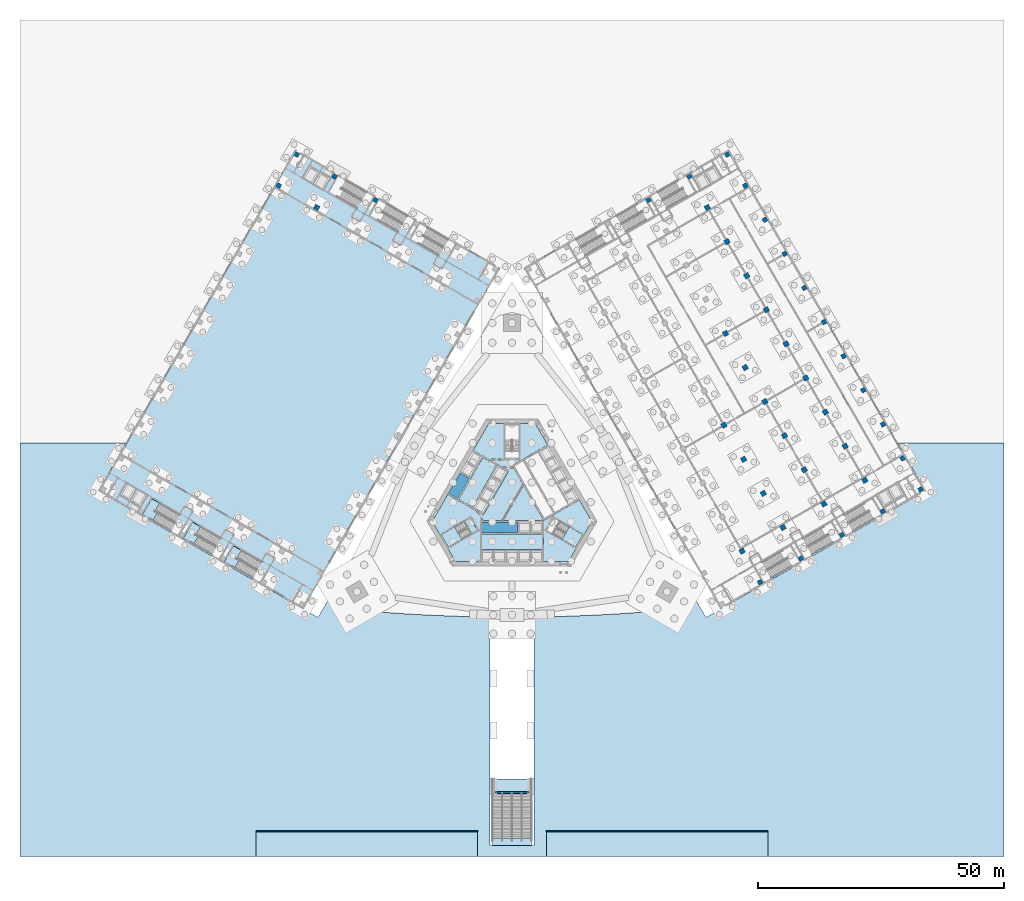
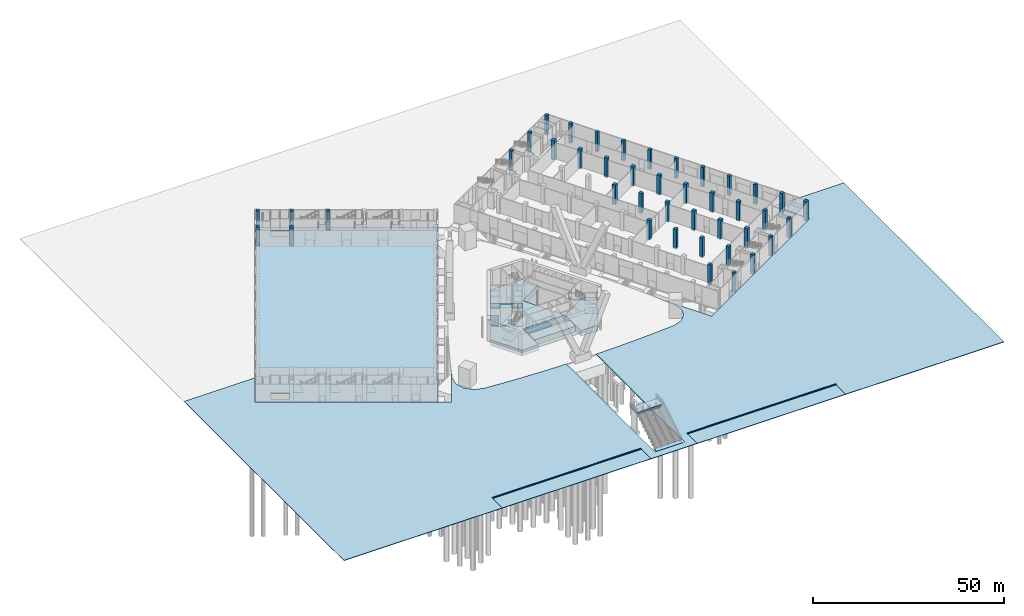
# One storey, part 8 of 38: 42 columns, 21 slabs, 1 beam, 5 elements without a shape of their own.
"""IFC4 building model written with IfcOpenShell, lengths in metres."""

from ifc_helpers import new_model, si_unit, direction, frame, origin, origin_2d, place, context, subcontext, project, spatial, polyline, rectangle, i_section, outline, extrude, material, layer, layer_set, material_profile, profile_set, type_object, element, aggregate, save


model = new_model("IFC4")

# Units and contexts
model_context = context("Model", 3, precision=1e-05, world=origin(), true_north=direction((0.0, 1.0)))
body_context = subcontext(model_context, "Body", "Model", "MODEL_VIEW")
ifc_project = project(units=[si_unit("LENGTHUNIT", "METRE"), si_unit("AREAUNIT", "SQUARE_METRE"), si_unit("VOLUMEUNIT", "CUBIC_METRE"), si_unit("PLANEANGLEUNIT", "RADIAN"), si_unit("MASSUNIT", "GRAM", prefix="KILO")], contexts=[model_context])

# Site, building, storey
site_placement = place(None, origin())
site = spatial("IfcSite", under=ifc_project, at=site_placement, CompositionType="ELEMENT")
building_placement = place(site_placement, origin())
building = spatial("IfcBuilding", under=site, at=building_placement, Name="Mestral Congress Tower", CompositionType="ELEMENT")
storey_placement = place(building_placement, origin())
storey = spatial("IfcBuildingStorey", under=building, at=storey_placement, Name="L00", CompositionType="ELEMENT", Elevation=0.0)

# Columns
ifc_material_1 = material(Name="Concrete C60/75", Category="concrete")
ifc_material_profile_1 = material_profile(ifc_material_1, rectangle(XDim=1.0, YDim=1.0, at=origin_2d()), Name="RC 1000x1000")
ifc_profile_set_1 = profile_set([ifc_material_profile_1], Name="Concrete C60/75")
column_type_1 = type_object("IfcColumnType", Name="Podium column RC 1000x1000 C60/75", PredefinedType="COLUMN", material=ifc_profile_set_1)
for number, where, z_axis, x_axis, name in (
    (1, (46.76806640625, -9.94873046875, -0.300048828125), (0.0, 0.0, 1.0), (-0.5, 0.866025403784, 0.0), "COL-L00-PC-E-02B"),
    (2, (55.08203125, -5.148681640625, -0.300048828125), (0.0, 0.0, 1.0), (-0.5, 0.866025403784, 0.0), "COL-L00-PC-E-02C"),
    (3, (63.395751953125, -0.348876953125, -0.300048828125), (0.0, 0.0, 1.0), (-0.5, 0.866025403784, 0.0), "COL-L00-PC-E-02D"),
    (4, (71.709716796875, 4.451171875, -0.300048828125), (0.0, 0.0, 1.0), (-0.5, 0.866025403784, 0.0), "COL-L00-PC-E-02E"),
    (5, (51.08203125, 1.779296875, -0.300048828125), (0.0, 0.0, 1.0), (-0.5, 0.866025403784, 0.0), "COL-L00-PC-E-03C"),
    (6, (59.395751953125, 6.579345703125, -0.300048828125), (0.0, 0.0, 1.0), (-0.5, 0.866025403784, 0.0), "COL-L00-PC-E-03D"),
    (7, (67.709716796875, 11.37939453125, -0.300048828125), (0.0, 0.0, 1.0), (-0.5, 0.866025403784, 0.0), "COL-L00-PC-E-03E"),
    (8, (47.08203125, 8.70751953125, -0.300048828125), (0.0, 0.0, 1.0), (-0.5, 0.866025403784, 0.0), "COL-L00-PC-E-04C"),
    (9, (55.395751953125, 13.507568359375, -0.300048828125), (0.0, 0.0, 1.0), (-0.5, 0.866025403784, 0.0), "COL-L00-PC-E-04D"),
    (10, (63.709716796875, 18.3076171875, -0.300048828125), (0.0, 0.0, 1.0), (-0.5, 0.866025403784, 0.0), "COL-L00-PC-E-04E"),
    (11, (43.08203125, 15.6357421875, -0.300048828125), (0.0, 0.0, 1.0), (-0.5, 0.866025403784, 0.0), "COL-L00-PC-E-05C"),
    (12, (51.395751953125, 20.435791015625, -0.300048828125), (0.0, 0.0, 1.0), (-0.5, 0.866025403784, 0.0), "COL-L00-PC-E-05D"),
    (13, (59.709716796875, 25.23583984375, -0.300048828125), (0.0, 0.0, 1.0), (-0.5, 0.866025403784, 0.0), "COL-L00-PC-E-05E"),
    (14, (47.395751953125, 27.364013671875, -0.300048828125), (0.0, 0.0, 1.0), (-0.5, 0.866025403784, 0.0), "COL-L00-PC-E-06D"),
    (15, (55.709716796875, 32.1640625, -0.300048828125), (0.0, 0.0, 1.0), (-0.5, 0.866025403784, 0.0), "COL-L00-PC-E-06E"),
    (16, (43.395751953125, 34.292236328125, -0.300048828125), (0.0, 0.0, 1.0), (-0.5, 0.866025403784, 0.0), "COL-L00-PC-E-07D"),
    (17, (51.709716796875, 39.09228515625, -0.300048828125), (0.0, 0.0, 1.0), (-0.5, 0.866025403784, 0.0), "COL-L00-PC-E-07E"),
    (18, (47.709716796875, 46.0205078125, -0.300048828125), (0.0, 0.0, 1.0), (-0.5, 0.866025403784, 0.0), "COL-L00-PC-E-08E"),
    (19, (43.709716796875, 52.948486328125, -0.300048828125), (0.0, 0.0, 1.0), (-0.5, 0.866025403784, 0.0), "COL-L00-PC-E-09E"),
    (20, (39.709716796875, 59.876708984375, -0.300048828125), (0.0, 0.0, 1.0), (-0.5, 0.866025403784, 0.0), "COL-L00-PC-E-10E"),
    (21, (-39.709716796875, 59.876708984375, -0.300048828125), (0.0, 0.0, 1.0), (-0.5, -0.866025403784, 0.0), "COL-L00-PC-W-02E"),
):
    element("IfcColumn", number, at=place(storey_placement, frame(where, z_axis=z_axis, x_axis=x_axis)), inside=storey, type_object=column_type_1, Name=name, PredefinedType="COLUMN", context=body_context, shape_type="SweptSolid", body=[
        extrude(rectangle(XDim=1.0, YDim=1.0, at=origin_2d()), origin(), (0.0, 0.0, 1.0), 6.300048828125),
    ])
ifc_material_2 = material(Name="Concrete C50/60", Category="concrete")
ifc_material_profile_2 = material_profile(ifc_material_2, rectangle(XDim=0.89990234375, YDim=0.89990234375, at=origin_2d()), Name="RC 900x900")
ifc_profile_set_2 = profile_set([ifc_material_profile_2], Name="Concrete C50/60")
column_type_2 = type_object("IfcColumnType", Name="Podium column RC 900x900 C50/60", PredefinedType="COLUMN", material=ifc_profile_set_2)
for number, where, z_axis, x_axis, name in (
    (22, (50.418212890625, -16.270751953125, -0.300048828125), (0.0, 0.0, 1.0), (-0.5, 0.866025403784, 0.0), "COL-L00-PC-E-01B"),
    (23, (58.73193359375, -11.470703125, -0.300048828125), (0.0, 0.0, 1.0), (-0.5, 0.866025403784, 0.0), "COL-L00-PC-E-01C"),
    (24, (67.0458984375, -6.6708984375, -0.300048828125), (0.0, 0.0, 1.0), (-0.5, 0.866025403784, 0.0), "COL-L00-PC-E-01D"),
    (25, (75.359619140625, -1.870849609375, -0.300048828125), (0.0, 0.0, 1.0), (-0.5, 0.866025403784, 0.0), "COL-L00-PC-E-01E"),
    (26, (83.0673828125, 2.5791015625, -0.300048828125), (0.0, 0.0, 1.0), (-0.5, 0.866025403784, 0.0), "COL-L00-PC-E-01F"),
    (27, (79.417236328125, 8.901123046875, -0.300048828125), (0.0, 0.0, 1.0), (-0.5, 0.866025403784, 0.0), "COL-L00-PC-E-02F"),
    (28, (75.417236328125, 15.829345703125, -0.300048828125), (0.0, 0.0, 1.0), (-0.5, 0.866025403784, 0.0), "COL-L00-PC-E-03F"),
    (29, (71.417236328125, 22.757568359375, -0.300048828125), (0.0, 0.0, 1.0), (-0.5, 0.866025403784, 0.0), "COL-L00-PC-E-04F"),
    (30, (67.417236328125, 29.685791015625, -0.300048828125), (0.0, 0.0, 1.0), (-0.5, 0.866025403784, 0.0), "COL-L00-PC-E-05F"),
    (31, (63.417236328125, 36.614013671875, -0.300048828125), (0.0, 0.0, 1.0), (-0.5, 0.866025403784, 0.0), "COL-L00-PC-E-06F"),
    (32, (59.417236328125, 43.542236328125, -0.300048828125), (0.0, 0.0, 1.0), (-0.5, 0.866025403784, 0.0), "COL-L00-PC-E-07F"),
    (33, (55.417236328125, 50.470458984375, -0.300048828125), (0.0, 0.0, 1.0), (-0.5, 0.866025403784, 0.0), "COL-L00-PC-E-08F"),
    (34, (51.417236328125, 57.398681640625, -0.300048828125), (0.0, 0.0, 1.0), (-0.5, 0.866025403784, 0.0), "COL-L00-PC-E-09F"),
    (35, (47.417236328125, 64.326904296875, -0.300048828125), (0.0, 0.0, 1.0), (-0.5, 0.866025403784, 0.0), "COL-L00-PC-E-10F"),
    (36, (27.745849609375, 61.398681640625, -0.300048828125), (0.0, 0.0, 1.0), (-0.5, 0.866025403784, 0.0), "COL-L00-PC-E-11D"),
    (37, (36.059814453125, 66.19873046875, -0.300048828125), (0.0, 0.0, 1.0), (-0.5, 0.866025403784, 0.0), "COL-L00-PC-E-11E"),
    (38, (43.767333984375, 70.648681640625, -0.300048828125), (0.0, 0.0, 1.0), (-0.5, 0.866025403784, 0.0), "COL-L00-PC-E-11F"),
    (39, (-27.745849609375, 61.398681640625, -0.300048828125), (0.0, 0.0, 1.0), (-0.5, -0.866025403784, 0.0), "COL-L00-PC-W-01D"),
    (40, (-36.059814453125, 66.19873046875, -0.300048828125), (0.0, 0.0, 1.0), (-0.5, -0.866025403784, 0.0), "COL-L00-PC-W-01E"),
    (41, (-43.767333984375, 70.648681640625, -0.300048828125), (0.0, 0.0, 1.0), (-0.5, -0.866025403784, 0.0), "COL-L00-PC-W-01F"),
    (42, (-47.417236328125, 64.326904296875, -0.300048828125), (0.0, 0.0, 1.0), (-0.5, -0.866025403784, 0.0), "COL-L00-PC-W-02F"),
):
    element("IfcColumn", number, at=place(storey_placement, frame(where, z_axis=z_axis, x_axis=x_axis)), inside=storey, type_object=column_type_2, Name=name, PredefinedType="COLUMN", context=body_context, shape_type="SweptSolid", body=[
        extrude(rectangle(XDim=0.89990234375, YDim=0.89990234375, at=origin_2d()), origin(), (0.0, 0.0, 1.0), 6.300048828125),
    ])

# Beam
ifc_material_3 = material(Name="Steel S355", Category="steel")
ifc_material_profile_3 = material_profile(ifc_material_3, i_section(OverallWidth=0.300048828125, OverallDepth=0.60009765625, WebThickness=0.015380859375, FlangeThickness=0.030029296875, FilletRadius=0.027099609375, at=origin_2d()), Name="HEB 600")
ifc_profile_set_3 = profile_set([ifc_material_profile_3], Name="Steel S355")
beam_type = type_object("IfcBeamType", Name="Floor beam HEB 600 S355", PredefinedType="BEAM", material=ifc_profile_set_3)
beam_placement = place(storey_placement, frame((-3.5, -58.988037109375, 5.39990234375), z_axis=(1.0, 0.0, 0.0), x_axis=(0.0, 1.0, 0.0)))
element("IfcBeam", 43, at=beam_placement, inside=storey, type_object=beam_type, Name="BM-TERR-3", PredefinedType="BEAM", context=body_context, shape_type="SweptSolid", body=[
    extrude(i_section(OverallWidth=0.300048828125, OverallDepth=0.60009765625, WebThickness=0.015380859375, FlangeThickness=0.030029296875, FilletRadius=0.027099609375, at=origin_2d()), origin(), (0.0, 0.0, 1.0), 7.0),
])

# Slabs
ifc_layer_1 = layer(ifc_material_1, 1.800048828125)
ifc_layer_set_1 = layer_set([ifc_layer_1], Name="Concrete C60/75")
slab_type_1 = type_object("IfcSlabType", Name="Core plinth RC 1800", PredefinedType="BASESLAB", material=ifc_layer_set_1)
placement_1 = place(storey_placement, frame((0.0, 0.0, -1.800048828125)))
element("IfcSlab", 44, at=placement_1, inside=storey, type_object=slab_type_1, Name="L00 core floor", PredefinedType="BASESLAB", context=body_context, shape_type="SweptSolid", body=[
    extrude(outline(polyline([(-14.968017578125, -1.7294921875), (-14.968017578125, -1.7294921875), (-13.060791015625, 1.57421875), (-6.931396484375, -1.96435546875), (-6.931396484375, -1.964599609375), (-6.93115234375, -1.964599609375), (-6.930908203125, -1.964599609375), (-6.930908203125, -1.964599609375), (-6.9306640625, -1.964599609375), (-6.930419921875, -1.964599609375), (-6.930419921875, -1.964599609375), (-6.93017578125, -1.964599609375), (-6.929931640625, -1.964599609375), (-6.9296875, -1.964599609375), (-6.929443359375, -1.96435546875), (-6.880615234375, -1.936279296875), (-6.8310546875, -2.022216796875), (-6.830810546875, -2.022216796875), (-6.830810546875, -2.0224609375), (-6.83056640625, -2.022705078125), (-6.83056640625, -2.022705078125), (-6.830322265625, -2.02294921875), (-5.8310546875, -2.599853515625), (-5.830810546875, -2.599853515625), (-5.830810546875, -2.599853515625), (-5.83056640625, -2.60009765625), (-5.830322265625, -2.60009765625), (-5.830078125, -2.60009765625), (-5.830078125, -2.60009765625), (-5.829833984375, -2.60009765625), (-5.82958984375, -2.60009765625), (-5.829345703125, -2.599853515625), (-5.8291015625, -2.599853515625), (-5.8291015625, -2.599609375), (-5.828857421875, -2.599609375), (-5.82861328125, -2.599609375), (-5.82861328125, -2.599365234375), (-5.82861328125, -2.59912109375), (-5.828369140625, -2.59912109375), (-5.703369140625, -2.382568359375), (-5.703369140625, -2.382568359375), (-0.788330078125, 6.130615234375), (-0.788330078125, 6.130615234375), (-0.663330078125, 6.346923828125), (-0.663330078125, 6.34716796875), (-0.6630859375, 6.347412109375), (-0.6630859375, 6.34765625), (-0.6630859375, 6.347900390625), (-0.6630859375, 6.347900390625), (-0.6630859375, 6.34814453125), (-0.6630859375, 6.348388671875), (-0.6630859375, 6.348388671875), (-0.6630859375, 6.3486328125), (-0.663330078125, 6.348876953125), (-0.663330078125, 6.34912109375), (-0.66357421875, 6.34912109375), (-0.66357421875, 6.349365234375), (-0.663818359375, 6.349609375), (-0.663818359375, 6.349609375), (-0.6640625, 6.349853515625), (-1.663330078125, 6.926513671875), (-1.66357421875, 6.9267578125), (-1.663818359375, 6.9267578125), (-1.663818359375, 6.927001953125), (-1.6640625, 6.927001953125), (-1.664306640625, 6.927001953125), (-1.763427734375, 6.927001953125), (-1.763427734375, 6.9833984375), (-1.763671875, 6.983642578125), (-1.763671875, 6.983642578125), (-1.763671875, 6.98388671875), (-1.763671875, 6.984130859375), (-1.763916015625, 6.984375), (-1.763916015625, 6.984375), (-1.763916015625, 6.984619140625), (-1.76416015625, 6.984619140625), (-1.76416015625, 6.98486328125), (-1.764404296875, 6.985107421875), (-1.764404296875, 6.985107421875), (-3.1328125, 7.77490234375), (-3.1328125, 7.77490234375), (-4.34521484375, 8.47509765625), (-4.34521484375, 8.47509765625), (-4.34521484375, 8.47509765625), (-7.893798828125, 10.523681640625), (-4.733154296875, 15.998046875), (4.733154296875, 15.998046875), (5.534423828125, 14.610107421875), (5.534423828125, 14.610107421875), (6.384521484375, 13.137939453125), (6.384521484375, 13.1376953125), (6.384521484375, 13.1376953125), (7.263671875, 11.614990234375), (0.0341796875, 7.44091796875), (0.033935546875, 7.44091796875), (0.03369140625, 7.440673828125), (0.03369140625, 7.440673828125), (0.033447265625, 7.4404296875), (0.033447265625, 7.440185546875), (0.033203125, 7.440185546875), (0.033203125, 7.43994140625), (0.033203125, 7.439697265625), (0.033203125, 7.439453125), (0.033203125, 7.439208984375), (0.033203125, 7.439208984375), (0.033203125, 7.43896484375), (0.033203125, 7.438720703125), (0.033203125, 7.438720703125), (0.033203125, 7.4384765625), (0.033447265625, 7.438232421875), (0.24365234375, 7.07421875), (0.24365234375, 7.073974609375), (0.243896484375, 7.07373046875), (0.243896484375, 7.07373046875), (0.244140625, 7.073486328125), (0.244140625, 7.073486328125), (0.244384765625, 7.0732421875), (0.24462890625, 7.0732421875), (0.244873046875, 7.0732421875), (0.244873046875, 7.072998046875), (0.2451171875, 7.072998046875), (0.245361328125, 7.072998046875), (0.332763671875, 7.072998046875), (0.332763671875, 6.927001953125), (0.33203125, 6.927001953125), (0.331787109375, 6.927001953125), (0.33154296875, 6.927001953125), (0.331298828125, 6.9267578125), (0.331298828125, 6.9267578125), (0.3310546875, 6.9267578125), (0.330810546875, 6.926513671875), (0.330810546875, 6.926513671875), (0.33056640625, 6.92626953125), (0.33056640625, 6.926025390625), (0.330322265625, 6.926025390625), (0.330322265625, 6.92578125), (0.330078125, 6.925537109375), (0.330078125, 6.92529296875), (0.330078125, 6.92529296875), (0.330078125, 6.925048828125), (0.330078125, 6.9248046875), (0.330078125, 6.9248046875), (0.330078125, 6.924560546875), (0.330078125, 6.92431640625), (0.330078125, 6.924072265625), (0.330322265625, 6.923828125), (6.45849609375, -3.690185546875), (6.45849609375, -3.6904296875), (6.45849609375, -3.6904296875), (6.458740234375, -3.690673828125), (6.458984375, -3.69091796875), (6.458984375, -3.69091796875), (6.459228515625, -3.69091796875), (6.45947265625, -3.691162109375), (6.459716796875, -3.691162109375), (6.459716796875, -3.691162109375), (6.4599609375, -3.691162109375), (6.460205078125, -3.691162109375), (6.46044921875, -3.691162109375), (6.46044921875, -3.691162109375), (6.460693359375, -3.691162109375), (6.4609375, -3.69091796875), (6.461181640625, -3.69091796875), (9.4091796875, -1.98876953125), (9.409423828125, -1.98876953125), (9.409423828125, -1.98876953125), (10.96826171875, -1.088623046875), (13.690673828125, 0.483154296875), (16.22119140625, -3.89990234375), (11.488037109375, -12.097900390625), (11.31201171875, -12.097900390625), (11.311767578125, -12.097900390625), (9.61181640625, -12.097900390625), (9.61181640625, -12.097900390625), (6.427001953125, -12.097900390625), (6.427001953125, -3.75), (6.427001953125, -3.749755859375), (6.427001953125, -3.74951171875), (6.427001953125, -3.74951171875), (6.4267578125, -3.749267578125), (6.4267578125, -3.7490234375), (6.4267578125, -3.748779296875), (6.426513671875, -3.748779296875), (6.426513671875, -3.74853515625), (6.42626953125, -3.74853515625), (6.426025390625, -3.748291015625), (6.42578125, -3.748291015625), (6.42578125, -3.748291015625), (6.425537109375, -3.748046875), (6.42529296875, -3.748046875), (6.42529296875, -3.748046875), (6.425048828125, -3.748046875), (-5.8310546875, -3.748046875), (-5.831298828125, -3.748046875), (-5.83154296875, -3.748046875), (-5.831787109375, -3.748046875), (-5.831787109375, -3.748291015625), (-5.83203125, -3.748291015625), (-5.832275390625, -3.748291015625), (-5.83251953125, -3.74853515625), (-5.83251953125, -3.74853515625), (-5.832763671875, -3.748779296875), (-5.832763671875, -3.748779296875), (-5.8330078125, -3.7490234375), (-5.8330078125, -3.749267578125), (-5.8330078125, -3.74951171875), (-5.8330078125, -3.749755859375), (-5.8330078125, -3.75), (-5.8330078125, -3.75), (-5.8330078125, -3.750244140625), (-5.8330078125, -3.75048828125), (-5.8330078125, -3.75048828125), (-5.8330078125, -3.750732421875), (-5.8330078125, -3.7509765625), (-5.83251953125, -3.75146484375), (-5.959228515625, -3.82470703125), (-6.002685546875, -3.7490234375), (-6.0029296875, -3.748779296875), (-6.0029296875, -3.748779296875), (-6.003173828125, -3.74853515625), (-6.00341796875, -3.748291015625), (-6.00341796875, -3.748291015625), (-6.003662109375, -3.748291015625), (-6.00390625, -3.748046875), (-6.00390625, -3.748046875), (-6.004150390625, -3.748046875), (-6.00439453125, -3.748046875), (-6.004638671875, -3.748046875), (-6.425048828125, -3.748046875), (-6.42529296875, -3.748046875), (-6.42529296875, -3.748046875), (-6.425537109375, -3.748046875), (-6.42578125, -3.748291015625), (-6.42578125, -3.748291015625), (-6.426025390625, -3.748291015625), (-6.42626953125, -3.74853515625), (-6.426513671875, -3.74853515625), (-6.426513671875, -3.748779296875), (-6.4267578125, -3.748779296875), (-6.4267578125, -3.7490234375), (-6.4267578125, -3.749267578125), (-6.427001953125, -3.74951171875), (-6.427001953125, -3.74951171875), (-6.427001953125, -3.749755859375), (-6.427001953125, -3.75), (-6.427001953125, -7.154296875), (-6.427001953125, -7.154296875), (-6.427001953125, -8.954345703125), (-6.427001953125, -8.95458984375), (-6.427001953125, -12.097900390625), (-11.488037109375, -12.097900390625), (-16.22119140625, -3.89990234375), (-15.818115234375, -3.201904296875), (-15.818115234375, -3.20166015625), (-14.968017578125, -1.7294921875)])), origin(), (0.0, 0.0, 1.0), 1.800048828125),
])
element("IfcSlab", 45, at=placement_1, inside=storey, type_object=slab_type_1, Name="L00 core floor", PredefinedType="BASESLAB", context=body_context, shape_type="SweptSolid", body=[
    extrude(outline(polyline([(-6.173095703125, -7.154296875), (-6.173095703125, -7.154296875), (-6.173095703125, -6.451904296875), (6.173095703125, -6.451904296875), (6.173095703125, -7.266357421875), (6.173095703125, -7.2666015625), (6.173095703125, -7.2666015625), (6.173095703125, -7.266845703125), (6.173095703125, -7.26708984375), (6.173095703125, -7.26708984375), (6.17333984375, -7.267333984375), (6.173583984375, -7.267578125), (6.173583984375, -7.267578125), (6.173583984375, -7.267822265625), (6.173828125, -7.267822265625), (6.174072265625, -7.26806640625), (6.17431640625, -7.26806640625), (6.17431640625, -7.268310546875), (6.174560546875, -7.268310546875), (6.1748046875, -7.268310546875), (6.175048828125, -7.268310546875), (6.26318359375, -7.268310546875), (6.26318359375, -8.66455078125), (6.175048828125, -8.66455078125), (6.1748046875, -8.66455078125), (6.174560546875, -8.66455078125), (6.17431640625, -8.66455078125), (6.17431640625, -8.66455078125), (6.174072265625, -8.664794921875), (6.173828125, -8.664794921875), (6.173583984375, -8.664794921875), (6.173583984375, -8.6650390625), (6.173583984375, -8.665283203125), (6.17333984375, -8.665283203125), (6.173095703125, -8.66552734375), (6.173095703125, -8.665771484375), (6.173095703125, -8.666015625), (6.173095703125, -8.666015625), (6.173095703125, -8.666259765625), (6.173095703125, -8.66650390625), (6.173095703125, -9.64794921875), (-6.173095703125, -9.64794921875), (-6.173095703125, -8.95458984375), (-6.173095703125, -8.954345703125), (-6.173095703125, -7.154296875)])), origin(), (0.0, 0.0, 1.0), 1.800048828125),
])
element("IfcSlab", 46, at=placement_1, inside=storey, type_object=slab_type_1, Name="L00 core floor", PredefinedType="BASESLAB", context=body_context, shape_type="SweptSolid", body=[
    extrude(outline(polyline([(-3.131103515625, 7.480712890625), (-8.044189453125, -1.02880859375), (-10.81201171875, 0.569091796875), (-5.89892578125, 9.078857421875), (-4.472412109375, 8.255126953125), (-4.47216796875, 8.255126953125), (-3.259765625, 7.55517578125), (-3.259765625, 7.554931640625), (-3.131103515625, 7.480712890625)])), origin(), (0.0, 0.0, 1.0), 1.800048828125),
])
element("IfcSlab", 47, at=placement_1, inside=storey, type_object=slab_type_1, Name="L00 core floor", PredefinedType="BASESLAB", context=body_context, shape_type="SweptSolid", body=[
    extrude(outline(polyline([(-10.540771484375, 5.93896484375), (-8.638916015625, 4.841064453125), (-11.031982421875, 0.6962890625), (-12.93359375, 1.794189453125), (-10.540771484375, 5.93896484375)])), origin(), (0.0, 0.0, 1.0), 1.800048828125),
])
element("IfcSlab", 48, at=placement_1, inside=storey, type_object=slab_type_1, Name="L00 core floor", PredefinedType="BASESLAB", context=body_context, shape_type="SweptSolid", body=[
    extrude(outline(polyline([(1.133056640625, -4.001953125), (1.133056640625, -6.197998046875), (-6.173095703125, -6.197998046875), (-6.173095703125, -4.001953125), (1.133056640625, -4.001953125)])), origin(), (0.0, 0.0, 1.0), 1.800048828125),
])

# Stair, slabs
stair_type_1 = type_object("IfcStairType", Name="Exit stair 1400", PredefinedType="HALF_TURN_STAIR", material=ifc_material_1)
placement_2 = place(storey_placement, origin())
stair_1 = element("IfcStair", 49, at=placement_2, inside=storey, type_object=stair_type_1, Name="L00 ST1", PredefinedType="HALF_TURN_STAIR")
ifc_layer_2 = layer(ifc_material_1, 0.199951171875)
ifc_layer_set_2 = layer_set([ifc_layer_2], Name="Concrete C60/75")
slab_type_2 = type_object("IfcSlabType", Name="Exit stair landing 200", PredefinedType="LANDING", material=ifc_layer_set_2)
placement_3 = place(storey_placement, frame((0.0, 0.0, 1.300048828125)))
slab_6 = element("IfcSlab", 50, at=placement_3, type_object=slab_type_2, Name="ST1 landing 1", PredefinedType="LANDING", context=body_context, shape_type="SweptSolid", body=[
    extrude(outline(polyline([(10.152099609375, -7.575927734375), (11.63720703125, -5.00390625), (14.39111328125, -6.593994140625), (12.906005859375, -9.166015625), (10.152099609375, -7.575927734375)])), origin(), (0.0, 0.0, 1.0), 0.199951171875),
])
placement_4 = place(storey_placement, frame((0.0, 0.0, 4.300048828125)))
slab_7 = element("IfcSlab", 51, at=placement_4, type_object=slab_type_2, Name="ST1 landing 3", PredefinedType="LANDING", context=body_context, shape_type="SweptSolid", body=[
    extrude(outline(polyline([(10.152099609375, -7.575927734375), (11.63720703125, -5.00390625), (14.39111328125, -6.593994140625), (12.906005859375, -9.166015625), (10.152099609375, -7.575927734375)])), origin(), (0.0, 0.0, 1.0), 0.199951171875),
])
aggregate(stair_1, [slab_6, slab_7])

stair_2 = element("IfcStair", 52, at=placement_2, inside=storey, type_object=stair_type_1, Name="L00 ST3", PredefinedType="HALF_TURN_STAIR")
slab_8 = element("IfcSlab", 53, at=placement_3, type_object=slab_type_2, Name="ST3 landing 1", PredefinedType="LANDING", context=body_context, shape_type="SweptSolid", body=[
    extrude(outline(polyline([(-11.63720703125, -5.00390625), (-10.152099609375, -7.575927734375), (-12.906005859375, -9.166015625), (-14.39111328125, -6.593994140625), (-11.63720703125, -5.00390625)])), origin(), (0.0, 0.0, 1.0), 0.199951171875),
])
placement_5 = place(storey_placement, frame((0.0, 0.0, 2.800048828125)))
slab_9 = element("IfcSlab", 54, at=placement_5, type_object=slab_type_2, Name="ST3 landing 2", PredefinedType="LANDING", context=body_context, shape_type="SweptSolid", body=[
    extrude(outline(polyline([(-8.48486328125, -3.18408203125), (-6.999755859375, -5.756103515625), (-8.2294921875, -6.466064453125), (-9.714599609375, -3.89404296875), (-8.48486328125, -3.18408203125)])), origin(), (0.0, 0.0, 1.0), 0.199951171875),
])
slab_10 = element("IfcSlab", 55, at=placement_4, type_object=slab_type_2, Name="ST3 landing 3", PredefinedType="LANDING", context=body_context, shape_type="SweptSolid", body=[
    extrude(outline(polyline([(-11.63720703125, -5.00390625), (-10.152099609375, -7.575927734375), (-12.906005859375, -9.166015625), (-14.39111328125, -6.593994140625), (-11.63720703125, -5.00390625)])), origin(), (0.0, 0.0, 1.0), 0.199951171875),
])
aggregate(stair_2, [slab_8, slab_9, slab_10])

# Slabs
ifc_material_4 = material(Name="Concrete C35/45", Category="concrete")
ifc_layer_3 = layer(ifc_material_4, 0.300048828125)
ifc_layer_set_3 = layer_set([ifc_layer_3], Name="Concrete C35/45")
slab_type_3 = type_object("IfcSlabType", Name="Ground slab 300", PredefinedType="BASESLAB", material=ifc_layer_set_3)
placement_6 = place(storey_placement, frame((0.0, 0.0, -0.300048828125)))
element("IfcSlab", 56, at=placement_6, inside=storey, type_object=slab_type_3, Name="SL-L00-W-0", PredefinedType="BASESLAB", context=body_context, shape_type="SweptSolid", body=[
    extrude(outline(polyline([(-2.454345703125, 47.60498046875), (-44.0234375, 71.60498046875), (-84.0234375, 2.322998046875), (-42.454345703125, -21.677001953125), (-2.454345703125, 47.60498046875)]), holes=[polyline([(-38.34765625, 63.535888671875), (-42.50439453125, 65.93603515625), (-41.154541015625, 68.2744140625), (-36.99755859375, 65.874267578125), (-38.34765625, 63.535888671875)]), polyline([(-75.547607421875, -0.896240234375), (-79.70458984375, 1.503662109375), (-78.3544921875, 3.842041015625), (-74.197509765625, 1.44189453125), (-75.547607421875, -0.896240234375)])]), origin(), (0.0, 0.0, 1.0), 0.300048828125),
])
ifc_material_5 = material(Name="Concrete C30/37", Category="concrete")
ifc_layer_4 = layer(ifc_material_5, 0.300048828125)
ifc_layer_set_4 = layer_set([ifc_layer_4], Name="Concrete C30/37")
slab_type_4 = type_object("IfcSlabType", Name="Podium broad stair foot pad 300", PredefinedType="BASESLAB", material=ifc_layer_set_4)
element("IfcSlab", 57, at=placement_6, inside=storey, type_object=slab_type_4, Name="Broad stair foot pad", PredefinedType="BASESLAB", context=body_context, shape_type="SweptSolid", body=[
    extrude(outline(polyline([(-4.0, -69.80810546875), (4.0, -69.80810546875), (4.0, -68.30810546875), (-4.0, -68.30810546875), (-4.0, -69.80810546875)])), origin(), (0.0, 0.0, 1.0), 0.300048828125),
])

# Stair, slab
ifc_material_6 = material(Name="Concrete C40/50", Category="concrete")
stair_type_2 = type_object("IfcStairType", Name="Podium exit stair 1800", PredefinedType="HALF_TURN_STAIR", material=ifc_material_6)
stair_3 = element("IfcStair", 58, at=placement_2, inside=storey, type_object=stair_type_2, Name="L00 Exit stair W4", PredefinedType="HALF_TURN_STAIR")
ifc_layer_5 = layer(ifc_material_6, 0.199951171875)
ifc_layer_set_5 = layer_set([ifc_layer_5], Name="Concrete C40/50")
slab_type_5 = type_object("IfcSlabType", Name="Podium exit stair landing 200", PredefinedType="LANDING", material=ifc_layer_set_5)
slab_13 = element("IfcSlab", 59, at=placement_5, type_object=slab_type_5, Name="PS-W4 landing 1", PredefinedType="LANDING", context=body_context, shape_type="SweptSolid", body=[
    extrude(outline(polyline([(-55.467529296875, -11.796630859375), (-56.36767578125, -13.35546875), (-58.480712890625, -12.135498046875), (-56.605712890625, -8.887939453125), (-55.003662109375, -9.81298828125), (-55.978515625, -11.501708984375), (-55.467529296875, -11.796630859375)])), origin(), (0.0, 0.0, 1.0), 0.199951171875),
])
aggregate(stair_3, [slab_13])

stair_4 = element("IfcStair", 60, at=placement_2, inside=storey, type_object=stair_type_2, Name="L00 Exit stair W5", PredefinedType="HALF_TURN_STAIR")
slab_14 = element("IfcSlab", 61, at=placement_5, type_object=slab_type_5, Name="PS-W5 landing 1", PredefinedType="LANDING", context=body_context, shape_type="SweptSolid", body=[
    extrude(outline(polyline([(-63.781494140625, -6.99658203125), (-64.681396484375, -8.555419921875), (-66.79443359375, -7.33544921875), (-64.91943359375, -4.087890625), (-63.3173828125, -5.012939453125), (-64.29248046875, -6.70166015625), (-63.781494140625, -6.99658203125)])), origin(), (0.0, 0.0, 1.0), 0.199951171875),
])
aggregate(stair_4, [slab_14])

stair_5 = element("IfcStair", 62, at=placement_2, inside=storey, type_object=stair_type_2, Name="L00 Exit stair W6", PredefinedType="HALF_TURN_STAIR")
slab_15 = element("IfcSlab", 63, at=placement_5, type_object=slab_type_5, Name="PS-W6 landing 1", PredefinedType="LANDING", context=body_context, shape_type="SweptSolid", body=[
    extrude(outline(polyline([(-72.09521484375, -2.196533203125), (-72.9951171875, -3.755615234375), (-75.1083984375, -2.535400390625), (-73.2333984375, 0.712158203125), (-71.631103515625, -0.212890625), (-72.606201171875, -1.901611328125), (-72.09521484375, -2.196533203125)])), origin(), (0.0, 0.0, 1.0), 0.199951171875),
])
aggregate(stair_5, [slab_15])

# Slabs
ifc_material_7 = material(Name="Granite kerb", Category="masonry")
ifc_layer_6 = layer(ifc_material_7, 0.14990234375)
ifc_layer_set_6 = layer_set([ifc_layer_6], Name="Granite kerb")
slab_type_6 = type_object("IfcSlabType", Name="Podium kerb stone 250", PredefinedType="USERDEFINED", material=ifc_layer_set_6)
element("IfcSlab", 64, at=placement_2, inside=storey, type_object=slab_type_6, Name="Kerb", ObjectType="KERB", PredefinedType="USERDEFINED", context=body_context, shape_type="SweptSolid", body=[
    extrude(outline(polyline([(-52.0, -67.0), (-7.0, -67.0), (-7.0, -66.75), (-52.0, -66.75), (-52.0, -67.0)])), origin(), (0.0, 0.0, 1.0), 0.14990234375),
])
element("IfcSlab", 65, at=placement_2, inside=storey, type_object=slab_type_6, Name="Kerb", ObjectType="KERB", PredefinedType="USERDEFINED", context=body_context, shape_type="SweptSolid", body=[
    extrude(outline(polyline([(7.0, -67.0), (52.0, -67.0), (52.0, -66.75), (7.0, -66.75), (7.0, -67.0)])), origin(), (0.0, 0.0, 1.0), 0.14990234375),
])
ifc_material_8 = material(Name="Limestone paving", Category="masonry")
ifc_layer_7 = layer(ifc_material_8, 0.14990234375)
ifc_layer_set_7 = layer_set([ifc_layer_7], Name="Limestone paving")
slab_type_7 = type_object("IfcSlabType", Name="Podium plaza paving 150", PredefinedType="USERDEFINED", material=ifc_layer_set_7)
placement_7 = place(storey_placement, frame((0.0, 0.0, -0.14990234375)))
element("IfcSlab", 66, at=placement_7, inside=storey, type_object=slab_type_7, Name="Plaza paving", ObjectType="PAVING", PredefinedType="USERDEFINED", context=body_context, shape_type="SweptSolid", body=[
    extrude(outline(polyline([(100.0, -72.0), (52.0, -72.0), (52.0, -67.0), (7.0, -67.0), (7.0, -72.0), (-7.0, -72.0), (-7.0, -67.0), (-52.0, -67.0), (-52.0, -72.0), (-100.0, -72.0), (-100.0, 12.0), (-78.4365234375, 12.0), (-84.0234375, 2.322998046875), (-42.454345703125, -21.677001953125), (-39.423095703125, -23.427001953125), (-32.146484375, -10.822998046875), (-30.824462890625, -8.084228515625), (-33.6328125, -13.90283203125), (-34.176513671875, -16.59326171875), (-33.39599609375, -19.28125), (-31.45849609375, -21.301025390625), (-28.8564453125, -22.17529296875), (-22.41357421875, -22.652587890625), (-16.01513671875, -23.0078125), (-9.611083984375, -23.244873046875), (-4.5, -23.33935546875), (-4.5, -69.80810546875), (4.5, -69.80810546875), (4.5, -23.33935546875), (9.611083984375, -23.244873046875), (16.01513671875, -23.0078125), (22.41357421875, -22.652587890625), (28.8564453125, -22.17529296875), (31.45849609375, -21.301025390625), (33.39599609375, -19.28125), (34.176513671875, -16.59326171875), (33.6328125, -13.90283203125), (30.824462890625, -8.084228515625), (32.146484375, -10.822998046875), (39.423095703125, -23.427001953125), (42.454345703125, -21.677001953125), (84.0234375, 2.322998046875), (78.4365234375, 12.0), (100.0, 12.0), (100.0, -72.0)])), origin(), (0.0, 0.0, 1.0), 0.14990234375),
])
element("IfcSlab", 67, at=placement_7, inside=storey, type_object=slab_type_7, Name="Coach and taxi lay-by paving", ObjectType="PAVING", PredefinedType="USERDEFINED", context=body_context, shape_type="SweptSolid", body=[
    extrude(outline(polyline([(-52.0, -72.0), (-52.0, -67.0), (-7.0, -67.0), (-7.0, -72.0), (-52.0, -72.0)])), origin(), (0.0, 0.0, 1.0), 0.14990234375),
])
element("IfcSlab", 68, at=placement_7, inside=storey, type_object=slab_type_7, Name="Coach and taxi lay-by paving", ObjectType="PAVING", PredefinedType="USERDEFINED", context=body_context, shape_type="SweptSolid", body=[
    extrude(outline(polyline([(7.0, -72.0), (7.0, -67.0), (52.0, -67.0), (52.0, -72.0), (7.0, -72.0)])), origin(), (0.0, 0.0, 1.0), 0.14990234375),
])
ifc_layer_8 = layer(ifc_material_4, 0.300048828125)
ifc_layer_set_8 = layer_set([ifc_layer_8], Name="Concrete C35/45")
slab_type_8 = type_object("IfcSlabType", Name="Stair terrace slab 300", PredefinedType="LANDING", material=ifc_layer_set_8)
slab_21_placement = place(storey_placement, frame((0.0, 0.0, 5.699951171875)))
element("IfcSlab", 69, at=slab_21_placement, inside=storey, type_object=slab_type_8, Name="SL-TERR-3", PredefinedType="LANDING", context=body_context, shape_type="SweptSolid", body=[
    extrude(outline(polyline([(-4.0, -59.2880859375), (4.0, -59.2880859375), (4.0, -56.2880859375), (-4.0, -56.2880859375), (-4.0, -59.2880859375)])), origin(), (0.0, 0.0, 1.0), 0.300048828125),
])

save(model, "model.ifc")
